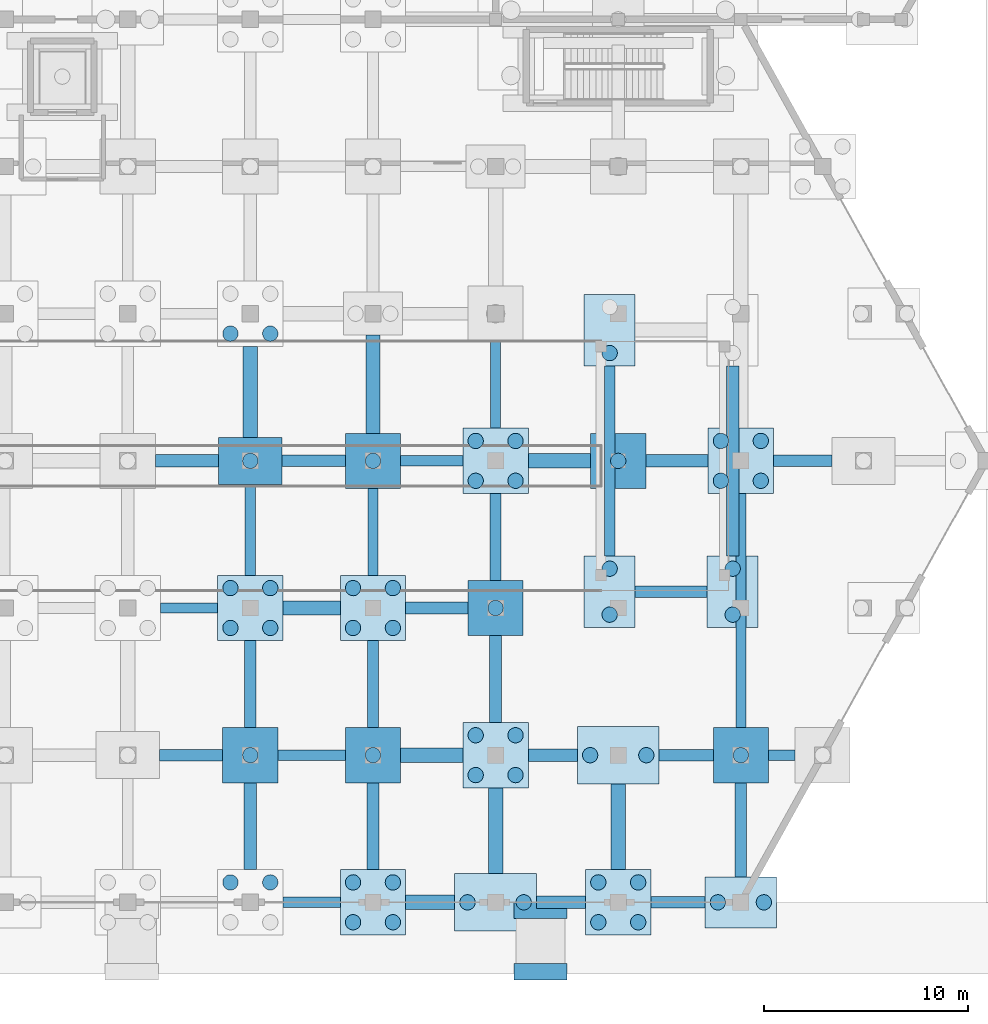
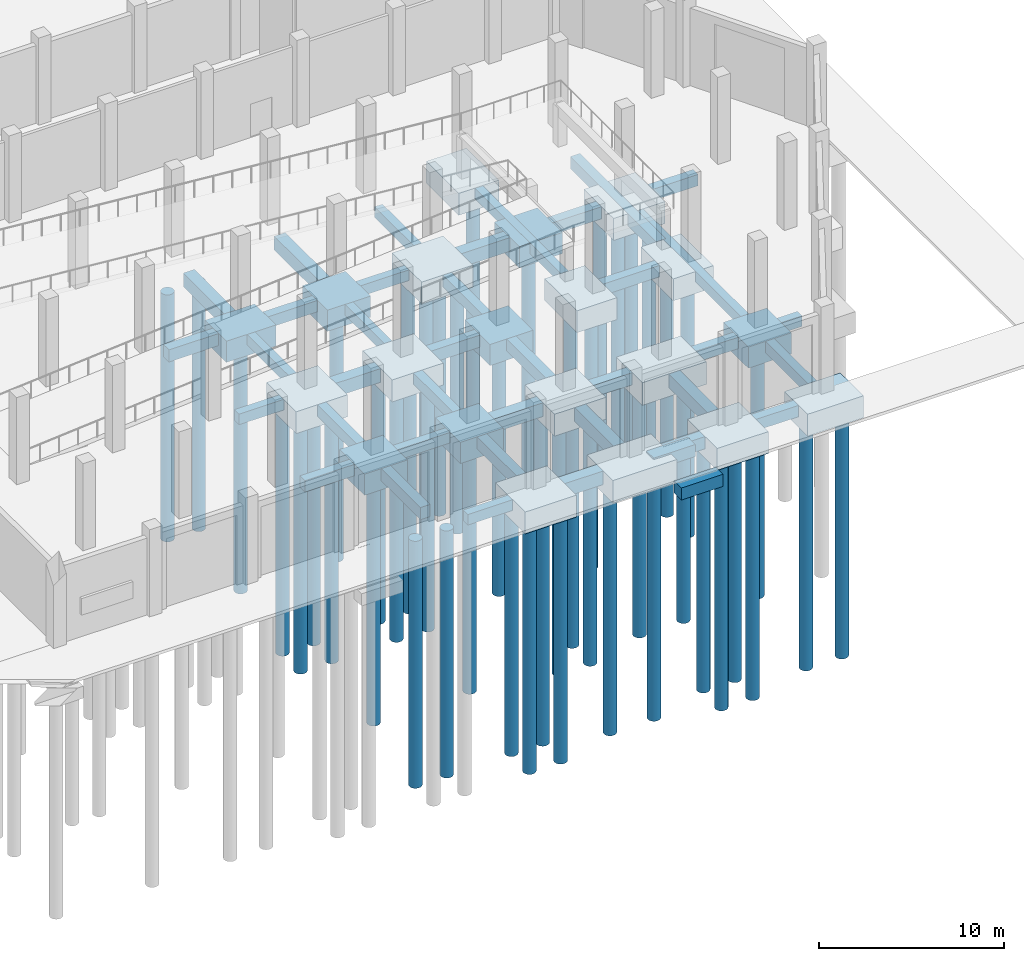
# One storey, part 9 of 103: 59 footings, 50 piles.
"""IFC4 building model written with IfcOpenShell, lengths in metres."""

from ifc_helpers import new_model, si_unit, direction, frame, origin, origin_2d, place, context, subcontext, project, spatial, rectangle, circle, extrude, material, material_profile, profile_set, type_object, element, save


model = new_model("IFC4")

# Units and contexts
model_context = context("Model", 3, precision=1e-05, world=origin(), true_north=direction((0.0, 1.0)))
body_context = subcontext(model_context, "Body", "Model", "MODEL_VIEW")
ifc_project = project(units=[si_unit("LENGTHUNIT", "METRE"), si_unit("AREAUNIT", "SQUARE_METRE"), si_unit("VOLUMEUNIT", "CUBIC_METRE"), si_unit("PLANEANGLEUNIT", "RADIAN"), si_unit("MASSUNIT", "GRAM", prefix="KILO")], contexts=[model_context])

# Site, building, storey
site_placement = place(None, origin())
site = spatial("IfcSite", under=ifc_project, at=site_placement, CompositionType="ELEMENT")
building_placement = place(site_placement, origin())
building = spatial("IfcBuilding", under=site, at=building_placement, Name="Dunvalen Ferry Terminal", CompositionType="ELEMENT")
storey_placement = place(building_placement, origin())
storey = spatial("IfcBuildingStorey", under=building, at=storey_placement, Name="L00", CompositionType="ELEMENT", Elevation=0.0)

# Footings
ifc_material = material(Name="Concrete C40/50", Category="concrete")
ifc_material_profile_1 = material_profile(ifc_material, rectangle(XDim=0.5, YDim=0.699951171875, at=origin_2d()), Name="Concrete C40/50")
ifc_profile_set_1 = profile_set([ifc_material_profile_1], Name="Concrete C40/50")
footing_type_1 = type_object("IfcFootingType", Name="STR-GB-500x700", PredefinedType="FOOTING_BEAM", material=ifc_profile_set_1)
footing_1_placement = place(storey_placement, frame((133.60009765625, 0.0, -0.669921875), z_axis=(1.0, 0.0, 0.0), x_axis=(0.0, 1.0, 0.0)))
element("IfcFooting", 1, at=footing_1_placement, inside=storey, type_object=footing_type_1, Name="L00 Ground Beam X-135", PredefinedType="FOOTING_BEAM", context=body_context, shape_type="SweptSolid", body=[
    extrude(rectangle(XDim=0.5, YDim=0.699951171875, at=origin_2d()), origin(), (0.0, 0.0, 1.0), 2.7998046875),
])
footing_2_placement = place(storey_placement, frame((133.35009765625, 7.199951171875, -0.669921875), z_axis=(1.0, 0.0, 0.0), x_axis=(0.0, 1.0, 0.0)))
element("IfcFooting", 2, at=footing_2_placement, inside=storey, type_object=footing_type_1, Name="L00 Ground Beam X-143", PredefinedType="FOOTING_BEAM", context=body_context, shape_type="SweptSolid", body=[
    extrude(rectangle(XDim=0.5, YDim=0.699951171875, at=origin_2d()), origin(), (0.0, 0.0, 1.0), 3.2998046875),
])
footing_3_placement = place(storey_placement, frame((157.35009765625, 7.199951171875, -0.669921875), z_axis=(1.0, 0.0, 0.0), x_axis=(0.0, 1.0, 0.0)))
element("IfcFooting", 3, at=footing_3_placement, inside=storey, type_object=footing_type_1, Name="L00 Ground Beam X-147", PredefinedType="FOOTING_BEAM", context=body_context, shape_type="SweptSolid", body=[
    extrude(rectangle(XDim=0.5, YDim=0.699951171875, at=origin_2d()), origin(), (0.0, 0.0, 1.0), 1.2998046875),
])
footing_4_placement = place(storey_placement, frame((127.60009765625, 14.39990234375, -0.669921875), z_axis=(1.0, 0.0, 0.0), x_axis=(0.0, 1.0, 0.0)))
element("IfcFooting", 4, at=footing_4_placement, inside=storey, type_object=footing_type_1, Name="L00 Ground Beam X-151", PredefinedType="FOOTING_BEAM", context=body_context, shape_type="SweptSolid", body=[
    extrude(rectangle(XDim=0.5, YDim=0.699951171875, at=origin_2d()), origin(), (0.0, 0.0, 1.0), 2.7998046875),
])
footing_5_placement = place(storey_placement, frame((139.35009765625, 21.60009765625, -0.669921875), z_axis=(1.0, 0.0, 0.0), x_axis=(0.0, 1.0, 0.0)))
element("IfcFooting", 5, at=footing_5_placement, inside=storey, type_object=footing_type_1, Name="L00 Ground Beam X-159", PredefinedType="FOOTING_BEAM", context=body_context, shape_type="SweptSolid", body=[
    extrude(rectangle(XDim=0.5, YDim=0.699951171875, at=origin_2d()), origin(), (0.0, 0.0, 1.0), 3.0498046875),
])
footing_6_placement = place(storey_placement, frame((132.0, 16.0, -0.669921875), z_axis=(0.0, 1.0, 0.0), x_axis=(-1.0, 0.0, 0.0)))
element("IfcFooting", 6, at=footing_6_placement, inside=storey, type_object=footing_type_1, Name="L00 Ground Beam Y-479", PredefinedType="FOOTING_BEAM", context=body_context, shape_type="SweptSolid", body=[
    extrude(rectangle(XDim=0.5, YDim=0.699951171875, at=origin_2d()), origin(), (0.0, 0.0, 1.0), 4.449951171875),
])
for number, where, z_axis, x_axis, name in (
    (7, (138.0, 16.0, -0.669921875), (0.0, 1.0, 0.0), (-1.0, 0.0, 0.0), "L00 Ground Beam Y-491"),
    (8, (144.0, 23.199951171875, -0.669921875), (0.0, 1.0, 0.0), (-1.0, 0.0, 0.0), "L00 Ground Beam Y-503"),
):
    element("IfcFooting", number, at=place(storey_placement, frame(where, z_axis=z_axis, x_axis=x_axis)), inside=storey, type_object=footing_type_1, Name=name, PredefinedType="FOOTING_BEAM", context=body_context, shape_type="SweptSolid", body=[
        extrude(rectangle(XDim=0.5, YDim=0.699951171875, at=origin_2d()), origin(), (0.0, 0.0, 1.0), 4.25),
    ])
footing_7_placement = place(storey_placement, frame((149.580078125, 16.949951171875, -0.669921875), z_axis=(0.0, 1.0, 0.0), x_axis=(-1.0, 0.0, 0.0)))
element("IfcFooting", 9, at=footing_7_placement, inside=storey, type_object=footing_type_1, Name="L00 Ground Beam Y-511", PredefinedType="FOOTING_BEAM", context=body_context, shape_type="SweptSolid", body=[
    extrude(rectangle(XDim=0.5, YDim=0.699951171875, at=origin_2d()), origin(), (0.0, 0.0, 1.0), 9.300048828125),
])
footing_8_placement = place(storey_placement, frame((156.0, 8.550048828125, -0.669921875), z_axis=(0.0, 1.0, 0.0), x_axis=(-1.0, 0.0, 0.0)))
element("IfcFooting", 10, at=footing_8_placement, inside=storey, type_object=footing_type_1, Name="L00 Ground Beam Y-523", PredefinedType="FOOTING_BEAM", context=body_context, shape_type="SweptSolid", body=[
    extrude(rectangle(XDim=0.5, YDim=0.699951171875, at=origin_2d()), origin(), (0.0, 0.0, 1.0), 11.449951171875),
])
ifc_material_profile_2 = material_profile(ifc_material, rectangle(XDim=0.550048828125, YDim=0.75, at=origin_2d()), Name="Concrete C40/50")
ifc_profile_set_2 = profile_set([ifc_material_profile_2], Name="Concrete C40/50")
footing_type_2 = type_object("IfcFootingType", Name="STR-GB-550x750", PredefinedType="FOOTING_BEAM", material=ifc_profile_set_2)
footing_9_placement = place(storey_placement, frame((151.60009765625, 0.0, -0.695068359375), z_axis=(1.0, 0.0, 0.0), x_axis=(0.0, 1.0, 0.0)))
element("IfcFooting", 11, at=footing_9_placement, inside=storey, type_object=footing_type_2, Name="L00 Ground Beam X-138", PredefinedType="FOOTING_BEAM", context=body_context, shape_type="SweptSolid", body=[
    extrude(rectangle(XDim=0.550048828125, YDim=0.75, at=origin_2d()), origin(), (0.0, 0.0, 1.0), 2.64990234375),
])
footing_10_placement = place(storey_placement, frame((127.550048828125, 7.199951171875, -0.695068359375), z_axis=(1.0, 0.0, 0.0), x_axis=(0.0, 1.0, 0.0)))
element("IfcFooting", 12, at=footing_10_placement, inside=storey, type_object=footing_type_2, Name="L00 Ground Beam X-142", PredefinedType="FOOTING_BEAM", context=body_context, shape_type="SweptSolid", body=[
    extrude(rectangle(XDim=0.550048828125, YDim=0.75, at=origin_2d()), origin(), (0.0, 0.0, 1.0), 3.099853515625),
])
footing_11_placement = place(storey_placement, frame((152.0, 7.199951171875, -0.695068359375), z_axis=(1.0, 0.0, 0.0), x_axis=(0.0, 1.0, 0.0)))
element("IfcFooting", 13, at=footing_11_placement, inside=storey, type_object=footing_type_2, Name="L00 Ground Beam X-146", PredefinedType="FOOTING_BEAM", context=body_context, shape_type="SweptSolid", body=[
    extrude(rectangle(XDim=0.550048828125, YDim=0.75, at=origin_2d()), origin(), (0.0, 0.0, 1.0), 2.64990234375),
])
footing_12_placement = place(storey_placement, frame((150.830078125, 15.199951171875, -0.695068359375), z_axis=(1.0, 0.0, 0.0), x_axis=(0.0, 1.0, 0.0)))
element("IfcFooting", 14, at=footing_12_placement, inside=storey, type_object=footing_type_2, Name="L00 Ground Beam X-154", PredefinedType="FOOTING_BEAM", context=body_context, shape_type="SweptSolid", body=[
    extrude(rectangle(XDim=0.550048828125, YDim=0.75, at=origin_2d()), origin(), (0.0, 0.0, 1.0), 3.52001953125),
])
footing_13_placement = place(storey_placement, frame((133.550048828125, 21.60009765625, -0.695068359375), z_axis=(1.0, 0.0, 0.0), x_axis=(0.0, 1.0, 0.0)))
element("IfcFooting", 15, at=footing_13_placement, inside=storey, type_object=footing_type_2, Name="L00 Ground Beam X-158", PredefinedType="FOOTING_BEAM", context=body_context, shape_type="SweptSolid", body=[
    extrude(rectangle(XDim=0.550048828125, YDim=0.75, at=origin_2d()), origin(), (0.0, 0.0, 1.0), 3.099853515625),
])
footing_14_placement = place(storey_placement, frame((157.60009765625, 21.60009765625, -0.695068359375), z_axis=(1.0, 0.0, 0.0), x_axis=(0.0, 1.0, 0.0)))
element("IfcFooting", 16, at=footing_14_placement, inside=storey, type_object=footing_type_2, Name="L00 Ground Beam X-162", PredefinedType="FOOTING_BEAM", context=body_context, shape_type="SweptSolid", body=[
    extrude(rectangle(XDim=0.550048828125, YDim=0.75, at=origin_2d()), origin(), (0.0, 0.0, 1.0), 2.849853515625),
])
for number, where, z_axis, x_axis, name in (
    (17, (132.0, 8.550048828125, -0.695068359375), (0.0, 1.0, 0.0), (-1.0, 0.0, 0.0), "L00 Ground Beam Y-478"),
    (18, (138.0, 8.550048828125, -0.695068359375), (0.0, 1.0, 0.0), (-1.0, 0.0, 0.0), "L00 Ground Beam Y-490"),
    (19, (144.0, 15.75, -0.695068359375), (0.0, 1.0, 0.0), (-1.0, 0.0, 0.0), "L00 Ground Beam Y-502"),
):
    element("IfcFooting", number, at=place(storey_placement, frame(where, z_axis=z_axis, x_axis=x_axis)), inside=storey, type_object=footing_type_2, Name=name, PredefinedType="FOOTING_BEAM", context=body_context, shape_type="SweptSolid", body=[
        extrude(rectangle(XDim=0.550048828125, YDim=0.75, at=origin_2d()), origin(), (0.0, 0.0, 1.0), 4.25),
    ])
footing_15_placement = place(storey_placement, frame((156.0, 1.25, -0.695068359375), z_axis=(0.0, 1.0, 0.0), x_axis=(-1.0, 0.0, 0.0)))
element("IfcFooting", 20, at=footing_15_placement, inside=storey, type_object=footing_type_2, Name="L00 Ground Beam Y-522", PredefinedType="FOOTING_BEAM", context=body_context, shape_type="SweptSolid", body=[
    extrude(rectangle(XDim=0.550048828125, YDim=0.75, at=origin_2d()), origin(), (0.0, 0.0, 1.0), 4.60009765625),
])
ifc_material_profile_3 = material_profile(ifc_material, rectangle(XDim=0.60009765625, YDim=0.800048828125, at=origin_2d()), Name="Concrete C40/50")
ifc_profile_set_3 = profile_set([ifc_material_profile_3], Name="Concrete C40/50")
footing_type_3 = type_object("IfcFootingType", Name="STR-GB-600x800", PredefinedType="FOOTING_BEAM", material=ifc_profile_set_3)
for number, where, z_axis, x_axis, name in (
    (21, (146.0, 0.0, -0.719970703125), (1.0, 0.0, 0.0), (0.0, 1.0, 0.0), "L00 Ground Beam X-137"),
    (22, (145.60009765625, 7.199951171875, -0.719970703125), (1.0, 0.0, 0.0), (0.0, 1.0, 0.0), "L00 Ground Beam X-145"),
):
    element("IfcFooting", number, at=place(storey_placement, frame(where, z_axis=z_axis, x_axis=x_axis)), inside=storey, type_object=footing_type_3, Name=name, PredefinedType="FOOTING_BEAM", context=body_context, shape_type="SweptSolid", body=[
        extrude(rectangle(XDim=0.60009765625, YDim=0.800048828125, at=origin_2d()), origin(), (0.0, 0.0, 1.0), 2.39990234375),
    ])
footing_16_placement = place(storey_placement, frame((139.60009765625, 14.39990234375, -0.719970703125), z_axis=(1.0, 0.0, 0.0), x_axis=(0.0, 1.0, 0.0)))
element("IfcFooting", 23, at=footing_16_placement, inside=storey, type_object=footing_type_3, Name="L00 Ground Beam X-153", PredefinedType="FOOTING_BEAM", context=body_context, shape_type="SweptSolid", body=[
    extrude(rectangle(XDim=0.60009765625, YDim=0.800048828125, at=origin_2d()), origin(), (0.0, 0.0, 1.0), 3.0498046875),
])
footing_17_placement = place(storey_placement, frame((127.35009765625, 21.60009765625, -0.719970703125), z_axis=(1.0, 0.0, 0.0), x_axis=(0.0, 1.0, 0.0)))
element("IfcFooting", 24, at=footing_17_placement, inside=storey, type_object=footing_type_3, Name="L00 Ground Beam X-157", PredefinedType="FOOTING_BEAM", context=body_context, shape_type="SweptSolid", body=[
    extrude(rectangle(XDim=0.60009765625, YDim=0.800048828125, at=origin_2d()), origin(), (0.0, 0.0, 1.0), 3.099853515625),
])
footing_18_placement = place(storey_placement, frame((151.35009765625, 21.60009765625, -0.719970703125), z_axis=(1.0, 0.0, 0.0), x_axis=(0.0, 1.0, 0.0)))
element("IfcFooting", 25, at=footing_18_placement, inside=storey, type_object=footing_type_3, Name="L00 Ground Beam X-161", PredefinedType="FOOTING_BEAM", context=body_context, shape_type="SweptSolid", body=[
    extrude(rectangle(XDim=0.60009765625, YDim=0.800048828125, at=origin_2d()), origin(), (0.0, 0.0, 1.0), 3.0498046875),
])
for number, where, z_axis, x_axis, name in (
    (26, (132.0, 1.60009765625, -0.719970703125), (0.0, 1.0, 0.0), (-1.0, 0.0, 0.0), "L00 Ground Beam Y-477"),
    (27, (138.0, 1.60009765625, -0.719970703125), (0.0, 1.0, 0.0), (-1.0, 0.0, 0.0), "L00 Ground Beam Y-489"),
    (28, (144.0, 8.800048828125, -0.719970703125), (0.0, 1.0, 0.0), (-1.0, 0.0, 0.0), "L00 Ground Beam Y-501"),
):
    element("IfcFooting", number, at=place(storey_placement, frame(where, z_axis=z_axis, x_axis=x_axis)), inside=storey, type_object=footing_type_3, Name=name, PredefinedType="FOOTING_BEAM", context=body_context, shape_type="SweptSolid", body=[
        extrude(rectangle(XDim=0.60009765625, YDim=0.800048828125, at=origin_2d()), origin(), (0.0, 0.0, 1.0), 4.25),
    ])
footing_19_placement = place(storey_placement, frame((155.60009765625, 16.949951171875, -0.719970703125), z_axis=(0.0, 1.0, 0.0), x_axis=(-1.0, 0.0, 0.0)))
element("IfcFooting", 29, at=footing_19_placement, inside=storey, type_object=footing_type_3, Name="L00 Ground Beam Y-521", PredefinedType="FOOTING_BEAM", context=body_context, shape_type="SweptSolid", body=[
    extrude(rectangle(XDim=0.60009765625, YDim=0.800048828125, at=origin_2d()), origin(), (0.0, 0.0, 1.0), 9.300048828125),
])
ifc_material_profile_4 = material_profile(ifc_material, rectangle(XDim=0.699951171875, YDim=0.89990234375, at=origin_2d()), Name="Concrete C40/50")
ifc_profile_set_4 = profile_set([ifc_material_profile_4], Name="Concrete C40/50")
footing_type_4 = type_object("IfcFootingType", Name="STR-GB-700x900", PredefinedType="FOOTING_BEAM", material=ifc_profile_set_4)
footing_20_placement = place(storey_placement, frame((139.60009765625, 0.0, -0.77001953125), z_axis=(1.0, 0.0, 0.0), x_axis=(0.0, 1.0, 0.0)))
element("IfcFooting", 30, at=footing_20_placement, inside=storey, type_object=footing_type_4, Name="L00 Ground Beam X-136", PredefinedType="FOOTING_BEAM", context=body_context, shape_type="SweptSolid", body=[
    extrude(rectangle(XDim=0.699951171875, YDim=0.89990234375, at=origin_2d()), origin(), (0.0, 0.0, 1.0), 2.39990234375),
])
footing_21_placement = place(storey_placement, frame((139.35009765625, 7.199951171875, -0.77001953125), z_axis=(1.0, 0.0, 0.0), x_axis=(0.0, 1.0, 0.0)))
element("IfcFooting", 31, at=footing_21_placement, inside=storey, type_object=footing_type_4, Name="L00 Ground Beam X-144", PredefinedType="FOOTING_BEAM", context=body_context, shape_type="SweptSolid", body=[
    extrude(rectangle(XDim=0.699951171875, YDim=0.89990234375, at=origin_2d()), origin(), (0.0, 0.0, 1.0), 3.0498046875),
])
footing_22_placement = place(storey_placement, frame((133.60009765625, 14.39990234375, -0.77001953125), z_axis=(1.0, 0.0, 0.0), x_axis=(0.0, 1.0, 0.0)))
element("IfcFooting", 32, at=footing_22_placement, inside=storey, type_object=footing_type_4, Name="L00 Ground Beam X-152", PredefinedType="FOOTING_BEAM", context=body_context, shape_type="SweptSolid", body=[
    extrude(rectangle(XDim=0.699951171875, YDim=0.89990234375, at=origin_2d()), origin(), (0.0, 0.0, 1.0), 2.7998046875),
])
footing_23_placement = place(storey_placement, frame((145.60009765625, 21.60009765625, -0.77001953125), z_axis=(1.0, 0.0, 0.0), x_axis=(0.0, 1.0, 0.0)))
element("IfcFooting", 33, at=footing_23_placement, inside=storey, type_object=footing_type_4, Name="L00 Ground Beam X-160", PredefinedType="FOOTING_BEAM", context=body_context, shape_type="SweptSolid", body=[
    extrude(rectangle(XDim=0.699951171875, YDim=0.89990234375, at=origin_2d()), origin(), (0.0, 0.0, 1.0), 3.0498046875),
])
footing_24_placement = place(storey_placement, frame((132.0, 22.75, -0.77001953125), z_axis=(0.0, 1.0, 0.0), x_axis=(-1.0, 0.0, 0.0)))
element("IfcFooting", 34, at=footing_24_placement, inside=storey, type_object=footing_type_4, Name="L00 Ground Beam Y-480", PredefinedType="FOOTING_BEAM", context=body_context, shape_type="SweptSolid", body=[
    extrude(rectangle(XDim=0.699951171875, YDim=0.89990234375, at=origin_2d()), origin(), (0.0, 0.0, 1.0), 4.449951171875),
])
footing_25_placement = place(storey_placement, frame((138.0, 22.949951171875, -0.77001953125), z_axis=(0.0, 1.0, 0.0), x_axis=(-1.0, 0.0, 0.0)))
element("IfcFooting", 35, at=footing_25_placement, inside=storey, type_object=footing_type_4, Name="L00 Ground Beam Y-492", PredefinedType="FOOTING_BEAM", context=body_context, shape_type="SweptSolid", body=[
    extrude(rectangle(XDim=0.699951171875, YDim=0.89990234375, at=origin_2d()), origin(), (0.0, 0.0, 1.0), 4.800048828125),
])
footing_26_placement = place(storey_placement, frame((144.0, 1.39990234375, -0.77001953125), z_axis=(0.0, 1.0, 0.0), x_axis=(-1.0, 0.0, 0.0)))
element("IfcFooting", 36, at=footing_26_placement, inside=storey, type_object=footing_type_4, Name="L00 Ground Beam Y-500", PredefinedType="FOOTING_BEAM", context=body_context, shape_type="SweptSolid", body=[
    extrude(rectangle(XDim=0.699951171875, YDim=0.89990234375, at=origin_2d()), origin(), (0.0, 0.0, 1.0), 4.2001953125),
])
footing_27_placement = place(storey_placement, frame((150.0, 1.60009765625, -0.77001953125), z_axis=(0.0, 1.0, 0.0), x_axis=(-1.0, 0.0, 0.0)))
element("IfcFooting", 37, at=footing_27_placement, inside=storey, type_object=footing_type_4, Name="L00 Ground Beam Y-512", PredefinedType="FOOTING_BEAM", context=body_context, shape_type="SweptSolid", body=[
    extrude(rectangle(XDim=0.699951171875, YDim=0.89990234375, at=origin_2d()), origin(), (0.0, 0.0, 1.0), 4.199951171875),
])
footing_type_5 = type_object("IfcFootingType", Name="STR-PC-06", PredefinedType="PILE_CAP", material=ifc_material)
for number, where, z_axis, x_axis, name in (
    (38, (132.0, 7.199951171875, -1.719970703125), (0.0, 0.0, 1.0), (1.0, 0.0, 0.0), "L00 Pile Cap 191"),
    (39, (138.0, 7.199951171875, -1.719970703125), (0.0, 0.0, 1.0), (1.0, 0.0, 0.0), "L00 Pile Cap 205"),
    (40, (138.0, 21.60009765625, -1.719970703125), (0.0, 0.0, 1.0), (1.0, 0.0, 0.0), "L00 Pile Cap 207"),
    (41, (144.0, 14.39990234375, -1.719970703125), (0.0, 0.0, 1.0), (1.0, 0.0, 0.0), "L00 Pile Cap 224"),
    (42, (150.0, 21.60009765625, -1.719970703125), (0.0, 0.0, 1.0), (1.0, 0.0, 0.0), "L00 Pile Cap 242"),
    (43, (156.0, 7.199951171875, -1.719970703125), (0.0, 0.0, 1.0), (1.0, 0.0, 0.0), "L00 Pile Cap 257"),
):
    element("IfcFooting", number, at=place(storey_placement, frame(where, z_axis=z_axis, x_axis=x_axis)), inside=storey, type_object=footing_type_5, Name=name, PredefinedType="PILE_CAP", context=body_context, shape_type="SweptSolid", body=[
        extrude(rectangle(XDim=2.699951171875, YDim=2.699951171875, at=origin_2d()), origin(), (0.0, 0.0, 1.0), 1.39990234375),
    ])
footing_type_6 = type_object("IfcFootingType", Name="STR-PC-08", PredefinedType="PILE_CAP", material=ifc_material)
footing_28_placement = place(storey_placement, frame((132.0, 21.60009765625, -1.719970703125), z_axis=(0.0, 0.0, 1.0), x_axis=(1.0, 0.0, 0.0)))
element("IfcFooting", 44, at=footing_28_placement, inside=storey, type_object=footing_type_6, Name="L00 Pile Cap 193", PredefinedType="PILE_CAP", context=body_context, shape_type="SweptSolid", body=[
    extrude(rectangle(XDim=3.10009765625, YDim=2.300048828125, at=origin_2d()), origin(), (0.0, 0.0, 1.0), 1.39990234375),
])
footing_type_7 = type_object("IfcFootingType", Name="STR-PC-09", PredefinedType="PILE_CAP", material=ifc_material)
for number, where, z_axis, x_axis, name in (
    (45, (132.0, 14.39990234375, -1.77001953125), (0.0, 0.0, 1.0), (1.0, 0.0, 0.0), "L00 Pile Cap 192"),
    (46, (138.0, 0.0, -1.77001953125), (0.0, 0.0, 1.0), (1.0, 0.0, 0.0), "L00 Pile Cap 204"),
    (47, (138.0, 14.39990234375, -1.77001953125), (0.0, 0.0, 1.0), (1.0, 0.0, 0.0), "L00 Pile Cap 206"),
    (48, (144.0, 7.199951171875, -1.77001953125), (0.0, 0.0, 1.0), (1.0, 0.0, 0.0), "L00 Pile Cap 223"),
    (49, (144.0, 21.60009765625, -1.77001953125), (0.0, 0.0, 1.0), (1.0, 0.0, 0.0), "L00 Pile Cap 225"),
    (50, (150.0, 0.0, -1.77001953125), (0.0, 0.0, 1.0), (1.0, 0.0, 0.0), "L00 Pile Cap 240"),
    (51, (156.0, 21.60009765625, -1.77001953125), (0.0, 0.0, 1.0), (1.0, 0.0, 0.0), "L00 Pile Cap 258"),
):
    element("IfcFooting", number, at=place(storey_placement, frame(where, z_axis=z_axis, x_axis=x_axis)), inside=storey, type_object=footing_type_7, Name=name, PredefinedType="PILE_CAP", context=body_context, shape_type="SweptSolid", body=[
        extrude(rectangle(XDim=3.199951171875, YDim=3.199951171875, at=origin_2d()), origin(), (0.0, 0.0, 1.0), 1.449951171875),
    ])
footing_type_8 = type_object("IfcFootingType", Name="STR-PC-10", PredefinedType="PILE_CAP", material=ifc_material)
for number, where, z_axis, x_axis, name in (
    (52, (149.580078125, 15.199951171875, -1.77001953125), (0.0, 0.0, 1.0), (0.0, 1.0, 0.0), "L00 Pile Cap 238"),
    (53, (149.580078125, 28.0, -1.77001953125), (0.0, 0.0, 1.0), (0.0, 1.0, 0.0), "L00 Pile Cap 239"),
    (54, (155.60009765625, 15.199951171875, -1.77001953125), (0.0, 0.0, 1.0), (0.0, 1.0, 0.0), "L00 Pile Cap 254"),
    (55, (156.0, 0.0, -1.77001953125), (0.0, 0.0, 1.0), (1.0, 0.0, 0.0), "L00 Pile Cap 256"),
):
    element("IfcFooting", number, at=place(storey_placement, frame(where, z_axis=z_axis, x_axis=x_axis)), inside=storey, type_object=footing_type_8, Name=name, PredefinedType="PILE_CAP", context=body_context, shape_type="SweptSolid", body=[
        extrude(rectangle(XDim=3.5, YDim=2.5, at=origin_2d()), origin(), (0.0, 0.0, 1.0), 1.449951171875),
    ])
footing_type_9 = type_object("IfcFootingType", Name="STR-PC-12", PredefinedType="PILE_CAP", material=ifc_material)
for number, where, z_axis, x_axis, name in (
    (56, (144.0, 0.0, -1.820068359375), (0.0, 0.0, 1.0), (1.0, 0.0, 0.0), "L00 Pile Cap 222"),
    (57, (150.0, 7.199951171875, -1.820068359375), (0.0, 0.0, 1.0), (1.0, 0.0, 0.0), "L00 Pile Cap 241"),
):
    element("IfcFooting", number, at=place(storey_placement, frame(where, z_axis=z_axis, x_axis=x_axis)), inside=storey, type_object=footing_type_9, Name=name, PredefinedType="PILE_CAP", context=body_context, shape_type="SweptSolid", body=[
        extrude(rectangle(XDim=4.0, YDim=2.800048828125, at=origin_2d()), origin(), (0.0, 0.0, 1.0), 1.5),
    ])

# Piles
ifc_material_profile_5 = material_profile(ifc_material, circle(Radius=0.375, at=origin_2d()), Name="Concrete C40/50")
ifc_profile_set_5 = profile_set([ifc_material_profile_5], Name="Concrete C40/50")
pile_type = type_object("IfcPileType", Name="STR-PILE-P750", PredefinedType="BORED", material=ifc_profile_set_5)
for number, where, z_axis, x_axis, name in (
    (58, (131.02490234375, 0.97509765625, -1.669921875), (0.0, 0.0, -1.0), (1.0, 0.0, 0.0), "L00 Bored Pile 190.3"),
    (59, (132.97509765625, 0.97509765625, -1.669921875), (0.0, 0.0, -1.0), (1.0, 0.0, 0.0), "L00 Bored Pile 190.4"),
):
    element("IfcPile", number, at=place(storey_placement, frame(where, z_axis=z_axis, x_axis=x_axis)), inside=storey, type_object=pile_type, Name=name, PredefinedType="BORED", context=body_context, shape_type="SweptSolid", body=[
        extrude(circle(Radius=0.375, at=origin_2d()), origin(), (0.0, 0.0, 1.0), 16.330078125),
    ])
pile_1_placement = place(storey_placement, frame((132.0, 7.199951171875, -1.6201171875), z_axis=(0.0, 0.0, -1.0), x_axis=(1.0, 0.0, 0.0)))
element("IfcPile", 60, at=pile_1_placement, inside=storey, type_object=pile_type, Name="L00 Bored Pile 191.1", PredefinedType="BORED", context=body_context, shape_type="SweptSolid", body=[
    extrude(circle(Radius=0.375, at=origin_2d()), origin(), (0.0, 0.0, 1.0), 16.3798828125),
])
for number, where, z_axis, x_axis, name in (
    (61, (131.02490234375, 13.425048828125, -1.669921875), (0.0, 0.0, -1.0), (1.0, 0.0, 0.0), "L00 Bored Pile 192.1"),
    (62, (132.97509765625, 13.425048828125, -1.669921875), (0.0, 0.0, -1.0), (1.0, 0.0, 0.0), "L00 Bored Pile 192.2"),
    (63, (131.02490234375, 15.375, -1.669921875), (0.0, 0.0, -1.0), (1.0, 0.0, 0.0), "L00 Bored Pile 192.3"),
    (64, (132.97509765625, 15.375, -1.669921875), (0.0, 0.0, -1.0), (1.0, 0.0, 0.0), "L00 Bored Pile 192.4"),
):
    element("IfcPile", number, at=place(storey_placement, frame(where, z_axis=z_axis, x_axis=x_axis)), inside=storey, type_object=pile_type, Name=name, PredefinedType="BORED", context=body_context, shape_type="SweptSolid", body=[
        extrude(circle(Radius=0.375, at=origin_2d()), origin(), (0.0, 0.0, 1.0), 16.330078125),
    ])
pile_2_placement = place(storey_placement, frame((132.0, 21.60009765625, -1.6201171875), z_axis=(0.0, 0.0, -1.0), x_axis=(1.0, 0.0, 0.0)))
element("IfcPile", 65, at=pile_2_placement, inside=storey, type_object=pile_type, Name="L00 Bored Pile 193.1", PredefinedType="BORED", context=body_context, shape_type="SweptSolid", body=[
    extrude(circle(Radius=0.375, at=origin_2d()), origin(), (0.0, 0.0, 1.0), 16.3798828125),
])
for number, where, z_axis, x_axis, name in (
    (66, (131.02490234375, 27.824951171875, -1.669921875), (0.0, 0.0, -1.0), (1.0, 0.0, 0.0), "L00 Bored Pile 194.1"),
    (67, (132.97509765625, 27.824951171875, -1.669921875), (0.0, 0.0, -1.0), (1.0, 0.0, 0.0), "L00 Bored Pile 194.2"),
    (68, (137.02490234375, -0.97509765625, -1.669921875), (0.0, 0.0, -1.0), (1.0, 0.0, 0.0), "L00 Bored Pile 204.1"),
    (69, (138.97509765625, -0.97509765625, -1.669921875), (0.0, 0.0, -1.0), (1.0, 0.0, 0.0), "L00 Bored Pile 204.2"),
    (70, (137.02490234375, 0.97509765625, -1.669921875), (0.0, 0.0, -1.0), (1.0, 0.0, 0.0), "L00 Bored Pile 204.3"),
    (71, (138.97509765625, 0.97509765625, -1.669921875), (0.0, 0.0, -1.0), (1.0, 0.0, 0.0), "L00 Bored Pile 204.4"),
):
    element("IfcPile", number, at=place(storey_placement, frame(where, z_axis=z_axis, x_axis=x_axis)), inside=storey, type_object=pile_type, Name=name, PredefinedType="BORED", context=body_context, shape_type="SweptSolid", body=[
        extrude(circle(Radius=0.375, at=origin_2d()), origin(), (0.0, 0.0, 1.0), 16.330078125),
    ])
pile_3_placement = place(storey_placement, frame((138.0, 7.199951171875, -1.6201171875), z_axis=(0.0, 0.0, -1.0), x_axis=(1.0, 0.0, 0.0)))
element("IfcPile", 72, at=pile_3_placement, inside=storey, type_object=pile_type, Name="L00 Bored Pile 205.1", PredefinedType="BORED", context=body_context, shape_type="SweptSolid", body=[
    extrude(circle(Radius=0.375, at=origin_2d()), origin(), (0.0, 0.0, 1.0), 16.3798828125),
])
for number, where, z_axis, x_axis, name in (
    (73, (137.02490234375, 13.425048828125, -1.669921875), (0.0, 0.0, -1.0), (1.0, 0.0, 0.0), "L00 Bored Pile 206.1"),
    (74, (138.97509765625, 13.425048828125, -1.669921875), (0.0, 0.0, -1.0), (1.0, 0.0, 0.0), "L00 Bored Pile 206.2"),
    (75, (137.02490234375, 15.375, -1.669921875), (0.0, 0.0, -1.0), (1.0, 0.0, 0.0), "L00 Bored Pile 206.3"),
    (76, (138.97509765625, 15.375, -1.669921875), (0.0, 0.0, -1.0), (1.0, 0.0, 0.0), "L00 Bored Pile 206.4"),
):
    element("IfcPile", number, at=place(storey_placement, frame(where, z_axis=z_axis, x_axis=x_axis)), inside=storey, type_object=pile_type, Name=name, PredefinedType="BORED", context=body_context, shape_type="SweptSolid", body=[
        extrude(circle(Radius=0.375, at=origin_2d()), origin(), (0.0, 0.0, 1.0), 16.330078125),
    ])
pile_4_placement = place(storey_placement, frame((138.0, 21.60009765625, -1.6201171875), z_axis=(0.0, 0.0, -1.0), x_axis=(1.0, 0.0, 0.0)))
element("IfcPile", 77, at=pile_4_placement, inside=storey, type_object=pile_type, Name="L00 Bored Pile 207.1", PredefinedType="BORED", context=body_context, shape_type="SweptSolid", body=[
    extrude(circle(Radius=0.375, at=origin_2d()), origin(), (0.0, 0.0, 1.0), 16.3798828125),
])
for number, where, z_axis, x_axis, name in (
    (78, (142.625, 0.0, -1.719970703125), (0.0, 0.0, -1.0), (1.0, 0.0, 0.0), "L00 Bored Pile 222.1"),
    (79, (145.375, 0.0, -1.719970703125), (0.0, 0.0, -1.0), (1.0, 0.0, 0.0), "L00 Bored Pile 222.2"),
):
    element("IfcPile", number, at=place(storey_placement, frame(where, z_axis=z_axis, x_axis=x_axis)), inside=storey, type_object=pile_type, Name=name, PredefinedType="BORED", context=body_context, shape_type="SweptSolid", body=[
        extrude(circle(Radius=0.375, at=origin_2d()), origin(), (0.0, 0.0, 1.0), 16.280029296875),
    ])
for number, where, z_axis, x_axis, name in (
    (80, (143.02490234375, 6.22509765625, -1.669921875), (0.0, 0.0, -1.0), (1.0, 0.0, 0.0), "L00 Bored Pile 223.1"),
    (81, (144.97509765625, 6.22509765625, -1.669921875), (0.0, 0.0, -1.0), (1.0, 0.0, 0.0), "L00 Bored Pile 223.2"),
    (82, (143.02490234375, 8.175048828125, -1.669921875), (0.0, 0.0, -1.0), (1.0, 0.0, 0.0), "L00 Bored Pile 223.3"),
    (83, (144.97509765625, 8.175048828125, -1.669921875), (0.0, 0.0, -1.0), (1.0, 0.0, 0.0), "L00 Bored Pile 223.4"),
):
    element("IfcPile", number, at=place(storey_placement, frame(where, z_axis=z_axis, x_axis=x_axis)), inside=storey, type_object=pile_type, Name=name, PredefinedType="BORED", context=body_context, shape_type="SweptSolid", body=[
        extrude(circle(Radius=0.375, at=origin_2d()), origin(), (0.0, 0.0, 1.0), 16.330078125),
    ])
pile_5_placement = place(storey_placement, frame((144.0, 14.39990234375, -1.6201171875), z_axis=(0.0, 0.0, -1.0), x_axis=(1.0, 0.0, 0.0)))
element("IfcPile", 84, at=pile_5_placement, inside=storey, type_object=pile_type, Name="L00 Bored Pile 224.1", PredefinedType="BORED", context=body_context, shape_type="SweptSolid", body=[
    extrude(circle(Radius=0.375, at=origin_2d()), origin(), (0.0, 0.0, 1.0), 16.3798828125),
])
for number, where, z_axis, x_axis, name in (
    (85, (143.02490234375, 20.625, -1.669921875), (0.0, 0.0, -1.0), (1.0, 0.0, 0.0), "L00 Bored Pile 225.1"),
    (86, (144.97509765625, 20.625, -1.669921875), (0.0, 0.0, -1.0), (1.0, 0.0, 0.0), "L00 Bored Pile 225.2"),
    (87, (143.02490234375, 22.574951171875, -1.669921875), (0.0, 0.0, -1.0), (1.0, 0.0, 0.0), "L00 Bored Pile 225.3"),
    (88, (144.97509765625, 22.574951171875, -1.669921875), (0.0, 0.0, -1.0), (1.0, 0.0, 0.0), "L00 Bored Pile 225.4"),
    (89, (149.580078125, 14.074951171875, -1.669921875), (0.0, 0.0, -1.0), (1.0, 0.0, 0.0), "L00 Bored Pile 238.1"),
    (90, (149.580078125, 16.324951171875, -1.669921875), (0.0, 0.0, -1.0), (1.0, 0.0, 0.0), "L00 Bored Pile 238.2"),
    (91, (149.580078125, 26.875, -1.669921875), (0.0, 0.0, -1.0), (1.0, 0.0, 0.0), "L00 Bored Pile 239.1"),
    (92, (149.02490234375, -0.97509765625, -1.669921875), (0.0, 0.0, -1.0), (1.0, 0.0, 0.0), "L00 Bored Pile 240.1"),
    (93, (150.97509765625, -0.97509765625, -1.669921875), (0.0, 0.0, -1.0), (1.0, 0.0, 0.0), "L00 Bored Pile 240.2"),
    (94, (149.02490234375, 0.97509765625, -1.669921875), (0.0, 0.0, -1.0), (1.0, 0.0, 0.0), "L00 Bored Pile 240.3"),
    (95, (150.97509765625, 0.97509765625, -1.669921875), (0.0, 0.0, -1.0), (1.0, 0.0, 0.0), "L00 Bored Pile 240.4"),
):
    element("IfcPile", number, at=place(storey_placement, frame(where, z_axis=z_axis, x_axis=x_axis)), inside=storey, type_object=pile_type, Name=name, PredefinedType="BORED", context=body_context, shape_type="SweptSolid", body=[
        extrude(circle(Radius=0.375, at=origin_2d()), origin(), (0.0, 0.0, 1.0), 16.330078125),
    ])
for number, where, z_axis, x_axis, name in (
    (96, (148.625, 7.199951171875, -1.719970703125), (0.0, 0.0, -1.0), (1.0, 0.0, 0.0), "L00 Bored Pile 241.1"),
    (97, (151.375, 7.199951171875, -1.719970703125), (0.0, 0.0, -1.0), (1.0, 0.0, 0.0), "L00 Bored Pile 241.2"),
):
    element("IfcPile", number, at=place(storey_placement, frame(where, z_axis=z_axis, x_axis=x_axis)), inside=storey, type_object=pile_type, Name=name, PredefinedType="BORED", context=body_context, shape_type="SweptSolid", body=[
        extrude(circle(Radius=0.375, at=origin_2d()), origin(), (0.0, 0.0, 1.0), 16.280029296875),
    ])
pile_6_placement = place(storey_placement, frame((150.0, 21.60009765625, -1.6201171875), z_axis=(0.0, 0.0, -1.0), x_axis=(1.0, 0.0, 0.0)))
element("IfcPile", 98, at=pile_6_placement, inside=storey, type_object=pile_type, Name="L00 Bored Pile 242.1", PredefinedType="BORED", context=body_context, shape_type="SweptSolid", body=[
    extrude(circle(Radius=0.375, at=origin_2d()), origin(), (0.0, 0.0, 1.0), 16.3798828125),
])
for number, where, z_axis, x_axis, name in (
    (99, (155.60009765625, 14.074951171875, -1.669921875), (0.0, 0.0, -1.0), (1.0, 0.0, 0.0), "L00 Bored Pile 254.1"),
    (100, (155.60009765625, 16.324951171875, -1.669921875), (0.0, 0.0, -1.0), (1.0, 0.0, 0.0), "L00 Bored Pile 254.2"),
    (101, (154.875, 0.0, -1.669921875), (0.0, 0.0, -1.0), (1.0, 0.0, 0.0), "L00 Bored Pile 256.1"),
    (102, (157.125, 0.0, -1.669921875), (0.0, 0.0, -1.0), (1.0, 0.0, 0.0), "L00 Bored Pile 256.2"),
):
    element("IfcPile", number, at=place(storey_placement, frame(where, z_axis=z_axis, x_axis=x_axis)), inside=storey, type_object=pile_type, Name=name, PredefinedType="BORED", context=body_context, shape_type="SweptSolid", body=[
        extrude(circle(Radius=0.375, at=origin_2d()), origin(), (0.0, 0.0, 1.0), 16.330078125),
    ])
pile_7_placement = place(storey_placement, frame((156.0, 7.199951171875, -1.6201171875), z_axis=(0.0, 0.0, -1.0), x_axis=(1.0, 0.0, 0.0)))
element("IfcPile", 103, at=pile_7_placement, inside=storey, type_object=pile_type, Name="L00 Bored Pile 257.1", PredefinedType="BORED", context=body_context, shape_type="SweptSolid", body=[
    extrude(circle(Radius=0.375, at=origin_2d()), origin(), (0.0, 0.0, 1.0), 16.3798828125),
])
for number, where, z_axis, x_axis, name in (
    (104, (155.02490234375, 20.625, -1.669921875), (0.0, 0.0, -1.0), (1.0, 0.0, 0.0), "L00 Bored Pile 258.1"),
    (105, (156.97509765625, 20.625, -1.669921875), (0.0, 0.0, -1.0), (1.0, 0.0, 0.0), "L00 Bored Pile 258.2"),
    (106, (155.02490234375, 22.574951171875, -1.669921875), (0.0, 0.0, -1.0), (1.0, 0.0, 0.0), "L00 Bored Pile 258.3"),
    (107, (156.97509765625, 22.574951171875, -1.669921875), (0.0, 0.0, -1.0), (1.0, 0.0, 0.0), "L00 Bored Pile 258.4"),
):
    element("IfcPile", number, at=place(storey_placement, frame(where, z_axis=z_axis, x_axis=x_axis)), inside=storey, type_object=pile_type, Name=name, PredefinedType="BORED", context=body_context, shape_type="SweptSolid", body=[
        extrude(circle(Radius=0.375, at=origin_2d()), origin(), (0.0, 0.0, 1.0), 16.330078125),
    ])

# Footings
ifc_material_profile_6 = material_profile(ifc_material, rectangle(XDim=0.800048828125, YDim=0.800048828125, at=origin_2d()), Name="Concrete C40/50")
ifc_profile_set_6 = profile_set([ifc_material_profile_6], Name="Concrete C40/50")
footing_type_10 = type_object("IfcFootingType", Name="STR-SF-800x800", PredefinedType="STRIP_FOOTING", material=ifc_profile_set_6)
for number, where, z_axis, x_axis, name in (
    (108, (144.89990234375, -3.39990234375, -0.77001953125), (1.0, 0.0, 0.0), (0.0, 1.0, 0.0), "Accessible Ramp AR-03 Lower Strip Footing"),
    (109, (144.89990234375, -0.39990234375, -0.6201171875), (1.0, 0.0, 0.0), (0.0, 1.0, 0.0), "Accessible Ramp AR-03 Upper Strip Footing"),
):
    element("IfcFooting", number, at=place(storey_placement, frame(where, z_axis=z_axis, x_axis=x_axis)), inside=storey, type_object=footing_type_10, Name=name, PredefinedType="STRIP_FOOTING", context=body_context, shape_type="SweptSolid", body=[
        extrude(rectangle(XDim=0.800048828125, YDim=0.800048828125, at=origin_2d()), origin(), (0.0, 0.0, 1.0), 2.60009765625),
    ])

save(model, "model.ifc")
